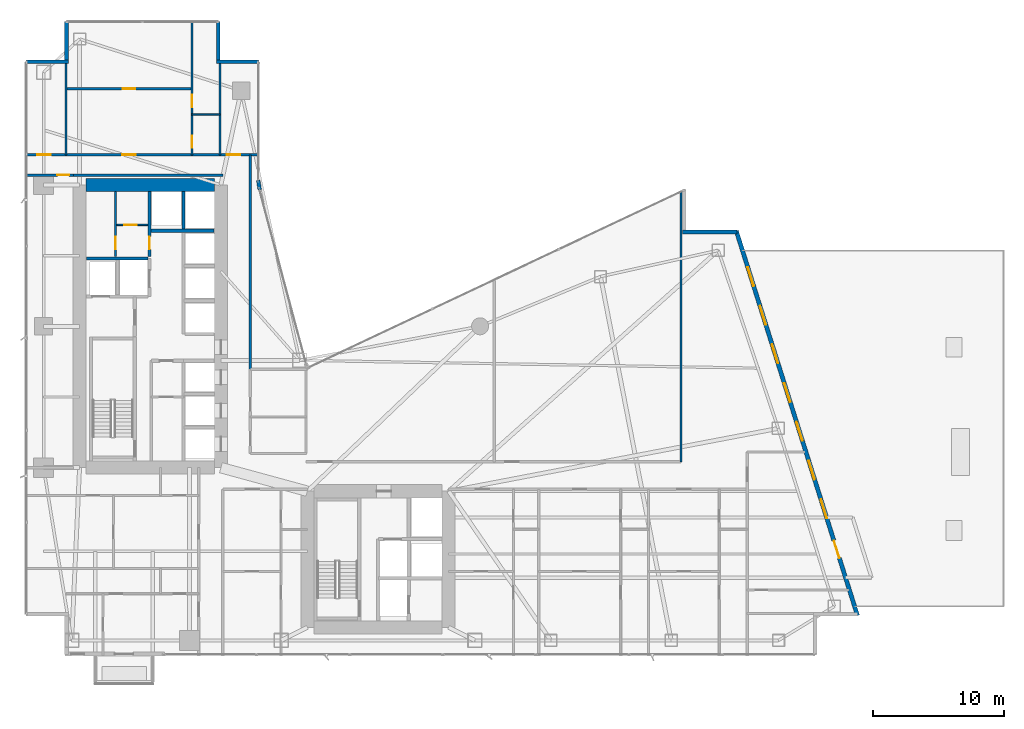
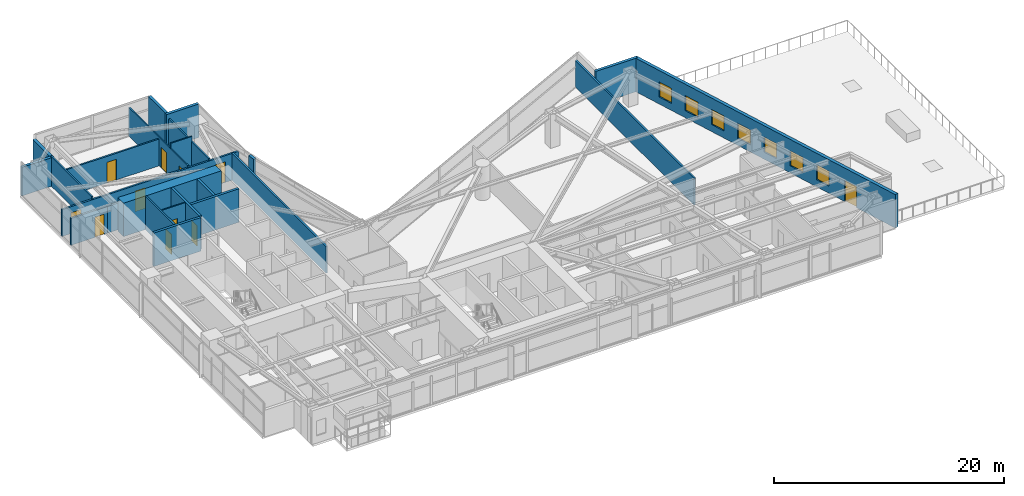
# One storey, part 25 of 30: 24 walls, 11 doors, 7 windows, 18 openings.
"""IFC4 building model written with IfcOpenShell, lengths in metres."""

from ifc_helpers import new_model, si_unit, direction, frame, frame_2d, origin, place, context, subcontext, project, spatial, rectangle, extrude, material, layer, layer_set, type_object, element, fill, save


model = new_model("IFC4")

# Units and contexts
model_context = context("Model", 3, precision=1e-05, world=origin(), true_north=direction((0.0, 1.0)))
body_context = subcontext(model_context, "Body", "Model", "MODEL_VIEW")
ifc_project = project(units=[si_unit("LENGTHUNIT", "METRE"), si_unit("AREAUNIT", "SQUARE_METRE"), si_unit("VOLUMEUNIT", "CUBIC_METRE"), si_unit("PLANEANGLEUNIT", "RADIAN"), si_unit("MASSUNIT", "GRAM", prefix="KILO")], contexts=[model_context])

# Site, building, storey
site_placement = place(None, origin())
site = spatial("IfcSite", under=ifc_project, at=site_placement, CompositionType="ELEMENT")
building_placement = place(site_placement, origin())
building = spatial("IfcBuilding", under=site, at=building_placement, Name="Calvorn Quay Hotel", CompositionType="ELEMENT")
storey_placement = place(building_placement, frame((0.0, 0.0, 27.0)))
storey = spatial("IfcBuildingStorey", under=building, at=storey_placement, Name="L05", CompositionType="ELEMENT", Elevation=27.0)

# Wall
ifc_material_1 = material(Name="Concrete C60", Category="concrete")
ifc_layer_1 = layer(ifc_material_1, 1.0)
ifc_layer_set_1 = layer_set([ifc_layer_1], Name="WL-CORE-1000")
wall_type_1 = type_object("IfcWallType", Name="WL-CORE-1000", PredefinedType="SHEAR", material=ifc_layer_set_1)
wall_1_placement = place(storey_placement, frame((4.699951171875, 38.39990234375, 0.0), z_axis=(0.0, 0.0, 1.0), x_axis=(1.0, 0.0, 0.0)))
element("IfcWall", 1, at=wall_1_placement, inside=storey, type_object=wall_type_1, Name="West Core Shear Wall N (L05)", PredefinedType="SHEAR", context=body_context, shape_type="SweptSolid", body=[
    extrude(rectangle(XDim=9.800048828125, YDim=1.0, at=frame_2d((4.89990234375, 0.0))), origin(), (0.0, 0.0, 1.0), 3.56005859375),
])

# Wall, opening, door
ifc_material_2 = material(Name="Acoustic Fireboard Steel-Stud Partition", Category="steel")
ifc_layer_2 = layer(ifc_material_2, 0.179931640625)
ifc_layer_set_2 = layer_set([ifc_layer_2], Name="WL-CORR-FIRE-180")
wall_type_2 = type_object("IfcWallType", Name="WL-CORR-FIRE-180", PredefinedType="PARTITIONING", material=ifc_layer_set_2)
wall_2_placement = place(storey_placement, frame((0.080078125, 39.14990234375, 0.0), z_axis=(0.0, 0.0, 1.0), x_axis=(1.0, 0.0, 0.0)))
wall_2 = element("IfcWall", 2, at=wall_2_placement, inside=storey, type_object=wall_type_2, Name="Partition Wall L05-WL-WBAY-N-DOOR", PredefinedType="PARTITIONING", context=body_context, shape_type="SweptSolid", body=[
    extrude(rectangle(XDim=3.64990234375, YDim=0.179931640625, at=frame_2d((1.824951171875, 0.0))), origin(), (0.0, 0.0, 1.0), 2.840087890625),
])
opening_1_placement = place(wall_2_placement, frame((2.429931640625, 0.0, 0.0)))
opening_1 = element("IfcOpeningElement", 3, at=opening_1_placement, cuts=wall_2, Name="Opening D-L05-WBN", PredefinedType="OPENING", context=body_context, shape_type="SweptSolid", body=[
    extrude(rectangle(XDim=0.89990234375, YDim=2.14990234375, at=frame_2d((0.449951171875, 1.074951171875))), frame((0.0, 0.099853515625, 0.0), z_axis=(0.0, -1.0, 0.0), x_axis=(1.0, 0.0, 0.0)), (0.0, 0.0, 1.0), 0.199951171875),
])
ifc_material_3 = material(Name="Moisture-Sealed Timber En-Suite Door", Category="wood")
door_type_1 = type_object("IfcDoorType", Name="DR-ENSUITE-900", OperationType="NOTDEFINED", PredefinedType="DOOR", material=ifc_material_3)
door_1_placement = place(opening_1_placement, origin())
door_1 = element("IfcDoor", 4, at=door_1_placement, inside=storey, type_object=door_type_1, Name="West North Bay Door (L05)", OperationType="SINGLE_SWING_LEFT", OverallHeight=2.14990234375, OverallWidth=0.89990234375, PredefinedType="DOOR", context=body_context, shape_type="SweptSolid", body=[
    extrude(rectangle(XDim=0.89990234375, YDim=2.14990234375, at=frame_2d((0.449951171875, 1.074951171875))), frame((0.0, 0.02490234375, 0.0), z_axis=(0.0, -1.0, 0.0), x_axis=(1.0, 0.0, 0.0)), (0.0, 0.0, 1.0), 0.050048828125),
])
fill(opening_1, door_1)

# Wall, openings, doors
wall_3_placement = place(storey_placement, frame((0.080078125, 40.699951171875, 0.0), z_axis=(0.0, 0.0, 1.0), x_axis=(1.0, 0.0, 0.0)))
wall_3 = element("IfcWall", 5, at=wall_3_placement, inside=storey, type_object=wall_type_2, Name="Partition Wall L05-WL-CORR-NW-N", PredefinedType="PARTITIONING", context=body_context, shape_type="SweptSolid", body=[
    extrude(rectangle(XDim=17.77001953125, YDim=0.179931640625, at=frame_2d((8.885009765625, 0.0))), origin(), (0.0, 0.0, 1.0), 2.840087890625),
])
opening_2_placement = place(wall_3_placement, frame((0.89990234375, 0.0, 0.0)))
opening_2 = element("IfcOpeningElement", 6, at=opening_2_placement, cuts=wall_3, Name="Opening D-L05-NWW", PredefinedType="OPENING", context=body_context, shape_type="SweptSolid", body=[
    extrude(rectangle(XDim=1.02001953125, YDim=2.199951171875, at=frame_2d((0.510009765625, 1.10009765625))), frame((0.0, 0.099853515625, 0.0), z_axis=(0.0, -1.0, 0.0), x_axis=(1.0, 0.0, 0.0)), (0.0, 0.0, 1.0), 0.199951171875),
])
opening_3_placement = place(wall_3_placement, frame((7.3798828125, 0.0, 0.0)))
opening_3 = element("IfcOpeningElement", 7, at=opening_3_placement, cuts=wall_3, Name="Opening D-L05-U04", PredefinedType="OPENING", context=body_context, shape_type="SweptSolid", body=[
    extrude(rectangle(XDim=1.02001953125, YDim=2.199951171875, at=frame_2d((0.510009765625, 1.10009765625))), frame((0.0, 0.099853515625, 0.0), z_axis=(0.0, -1.0, 0.0), x_axis=(1.0, 0.0, 0.0)), (0.0, 0.0, 1.0), 0.199951171875),
])
opening_4_placement = place(wall_3_placement, frame((15.3701171875, 0.0, 0.0)))
opening_4 = element("IfcOpeningElement", 8, at=opening_4_placement, cuts=wall_3, Name="Opening D-L05-NWE", PredefinedType="OPENING", context=body_context, shape_type="SweptSolid", body=[
    extrude(rectangle(XDim=1.02001953125, YDim=2.199951171875, at=frame_2d((0.510009765625, 1.10009765625))), frame((0.0, 0.099853515625, 0.0), z_axis=(0.0, -1.0, 0.0), x_axis=(1.0, 0.0, 0.0)), (0.0, 0.0, 1.0), 0.199951171875),
])
ifc_material_4 = material(Name="Solid-Core Walnut Veneer Hotel Fire Door")
door_type_2 = type_object("IfcDoorType", Name="DR-GUEST-ENTRY-1020", OperationType="NOTDEFINED", PredefinedType="DOOR", material=ifc_material_4)
door_2_placement = place(opening_2_placement, origin())
door_2 = element("IfcDoor", 9, at=door_2_placement, inside=storey, type_object=door_type_2, Name="West Corner Study Door (L05)", OperationType="SINGLE_SWING_LEFT", OverallHeight=2.199951171875, OverallWidth=1.02001953125, PredefinedType="DOOR", context=body_context, shape_type="SweptSolid", body=[
    extrude(rectangle(XDim=1.02001953125, YDim=2.199951171875, at=frame_2d((0.510009765625, 1.10009765625))), frame((0.0, 0.02490234375, 0.0), z_axis=(0.0, -1.0, 0.0), x_axis=(1.0, 0.0, 0.0)), (0.0, 0.0, 1.0), 0.050048828125),
])
fill(opening_2, door_2)
door_3_placement = place(opening_3_placement, origin())
door_3 = element("IfcDoor", 10, at=door_3_placement, inside=storey, type_object=door_type_2, Name="North-West Unit Door U04 (L05)", OperationType="SINGLE_SWING_RIGHT", OverallHeight=2.199951171875, OverallWidth=1.02001953125, PredefinedType="DOOR", context=body_context, shape_type="SweptSolid", body=[
    extrude(rectangle(XDim=1.02001953125, YDim=2.199951171875, at=frame_2d((0.510009765625, 1.10009765625))), frame((0.0, 0.02490234375, 0.0), z_axis=(0.0, -1.0, 0.0), x_axis=(1.0, 0.0, 0.0)), (0.0, 0.0, 1.0), 0.050048828125),
])
fill(opening_3, door_3)
door_4_placement = place(opening_4_placement, origin())
door_4 = element("IfcDoor", 11, at=door_4_placement, inside=storey, type_object=door_type_2, Name="Inner Court Study Door (L05)", OperationType="SINGLE_SWING_RIGHT", OverallHeight=2.199951171875, OverallWidth=1.02001953125, PredefinedType="DOOR", context=body_context, shape_type="SweptSolid", body=[
    extrude(rectangle(XDim=1.02001953125, YDim=2.199951171875, at=frame_2d((0.510009765625, 1.10009765625))), frame((0.0, 0.02490234375, 0.0), z_axis=(0.0, -1.0, 0.0), x_axis=(1.0, 0.0, 0.0)), (0.0, 0.0, 1.0), 0.050048828125),
])
fill(opening_4, door_4)

# Walls
wall_4_placement = place(storey_placement, frame((17.25, 24.300048828125, 0.0), z_axis=(0.0, 0.0, 1.0), x_axis=(0.0, 1.0, 0.0)))
element("IfcWall", 12, at=wall_4_placement, inside=storey, type_object=wall_type_2, Name="Partition Wall L05-WL-NW-CLOSURE-E", PredefinedType="PARTITIONING", context=body_context, shape_type="SweptSolid", body=[
    extrude(rectangle(XDim=16.39990234375, YDim=0.179931640625, at=frame_2d((8.199951171875, 0.0))), origin(), (0.0, 0.0, 1.0), 2.840087890625),
])
wall_5_placement = place(storey_placement, frame((3.679931640625, 39.14990234375, 0.0), z_axis=(0.0, 0.0, 1.0), x_axis=(1.0, 0.0, 0.0)))
element("IfcWall", 13, at=wall_5_placement, inside=storey, type_object=wall_type_2, Name="Partition Wall L05-WL-W-SPUR-S", PredefinedType="PARTITIONING", context=body_context, shape_type="SweptSolid", body=[
    extrude(rectangle(XDim=11.469970703125, YDim=0.179931640625, at=frame_2d((5.73486328125, 0.0))), origin(), (0.0, 0.0, 1.0), 2.840087890625),
])
wall_6_placement = place(storey_placement, frame((50.14990234375, 17.25, 0.0), z_axis=(0.0, 0.0, 1.0), x_axis=(0.0, 1.0, 0.0)))
element("IfcWall", 14, at=wall_6_placement, inside=storey, type_object=wall_type_2, Name="Partition Wall L05-WL-NE-END-E", PredefinedType="PARTITIONING", context=body_context, shape_type="SweptSolid", body=[
    extrude(rectangle(XDim=20.7099609375, YDim=0.179931640625, at=frame_2d((10.35498046875, 0.0))), origin(), (0.0, 0.0, 1.0), 2.840087890625),
])

# Wall, opening, door
ifc_material_5 = material(Name="Moisture-Resistant Tile-Backed Partition")
ifc_layer_3 = layer(ifc_material_5, 0.125)
ifc_layer_set_3 = layer_set([ifc_layer_3], Name="WL-ENSUITE-125")
wall_type_3 = type_object("IfcWallType", Name="WL-ENSUITE-125", PredefinedType="PARTITIONING", material=ifc_layer_set_3)
wall_7_placement = place(storey_placement, frame((7.050048828125, 35.35009765625, 0.0), z_axis=(0.0, 0.0, 1.0), x_axis=(1.0, 0.0, 0.0)))
wall_7 = element("IfcWall", 15, at=wall_7_placement, inside=storey, type_object=wall_type_3, Name="Partition Wall L05-WL-CWW-K-H", PredefinedType="PARTITIONING", context=body_context, shape_type="SweptSolid", body=[
    extrude(rectangle(XDim=2.369873046875, YDim=0.125, at=frame_2d((1.18505859375, 0.0))), origin(), (0.0, 0.0, 1.0), 3.56005859375),
])
opening_5_placement = place(wall_7_placement, frame((0.550048828125, 0.0, 0.0)))
opening_5 = element("IfcOpeningElement", 16, at=opening_5_placement, cuts=wall_7, Name="Opening D-L05-CK3", PredefinedType="OPENING", context=body_context, shape_type="SweptSolid", body=[
    extrude(rectangle(XDim=0.97998046875, YDim=2.14990234375, at=frame_2d((0.489990234375, 1.074951171875))), frame((0.0, 0.072509765625, 0.0), z_axis=(0.0, -1.0, 0.0), x_axis=(1.0, 0.0, 0.0)), (0.0, 0.0, 1.0), 0.14501953125),
])
ifc_material_6 = material(Name="Painted Steel Housekeeping/Riser Fire Door", Category="steel")
door_type_3 = type_object("IfcDoorType", Name="DR-SERVICE-980", OperationType="NOTDEFINED", PredefinedType="DOOR", material=ifc_material_6)
door_5_placement = place(opening_5_placement, origin())
door_5 = element("IfcDoor", 17, at=door_5_placement, inside=storey, type_object=door_type_3, Name="Telecom Closet Door (L05)", OperationType="SINGLE_SWING_RIGHT", OverallHeight=2.14990234375, OverallWidth=0.97998046875, PredefinedType="DOOR", context=body_context, shape_type="SweptSolid", body=[
    extrude(rectangle(XDim=0.97998046875, YDim=2.14990234375, at=frame_2d((0.489990234375, 1.074951171875))), frame((0.0, 0.02490234375, 0.0), z_axis=(0.0, -1.0, 0.0), x_axis=(1.0, 0.0, 0.0)), (0.0, 0.0, 1.0), 0.050048828125),
])
fill(opening_5, door_5)

# Wall
wall_8_placement = place(storey_placement, frame((12.7900390625, 43.77001953125, 0.0), z_axis=(0.0, 0.0, 1.0), x_axis=(1.0, 0.0, 0.0)))
element("IfcWall", 18, at=wall_8_placement, inside=storey, type_object=wall_type_3, Name="Partition Wall L05-WL-U04-BDV", PredefinedType="PARTITIONING", context=body_context, shape_type="SweptSolid", body=[
    extrude(rectangle(XDim=2.1298828125, YDim=0.125, at=frame_2d((1.06494140625, 0.0))), origin(), (0.0, 0.0, 1.0), 3.56005859375),
])

# Wall, openings, doors
wall_9_placement = place(storey_placement, frame((12.7900390625, 40.699951171875, 0.0), z_axis=(0.0, 0.0, 1.0), x_axis=(0.0, 1.0, 0.0)))
wall_9 = element("IfcWall", 19, at=wall_9_placement, inside=storey, type_object=wall_type_3, Name="Partition Wall L05-WL-U04-BV", PredefinedType="PARTITIONING", context=body_context, shape_type="SweptSolid", body=[
    extrude(rectangle(XDim=10.239990234375, YDim=0.125, at=frame_2d((5.1201171875, 0.0))), origin(), (0.0, 0.0, 1.0), 3.0400390625),
])
opening_6_placement = place(wall_9_placement, frame((0.550048828125, 0.0, 0.0)))
opening_6 = element("IfcOpeningElement", 20, at=opening_6_placement, cuts=wall_9, Name="Opening D-L05-E04", PredefinedType="OPENING", context=body_context, shape_type="SweptSolid", body=[
    extrude(rectangle(XDim=0.89990234375, YDim=2.14990234375, at=frame_2d((0.449951171875, 1.074951171875))), frame((0.0, 0.072509765625, 0.0), z_axis=(0.0, -1.0, 0.0), x_axis=(1.0, 0.0, 0.0)), (0.0, 0.0, 1.0), 0.14501953125),
])
opening_7_placement = place(wall_9_placement, frame((3.6201171875, 0.0, 0.0)))
opening_7 = element("IfcOpeningElement", 21, at=opening_7_placement, cuts=wall_9, Name="Opening D-L05-S04", PredefinedType="OPENING", context=body_context, shape_type="SweptSolid", body=[
    extrude(rectangle(XDim=0.9599609375, YDim=2.199951171875, at=frame_2d((0.47998046875, 1.10009765625))), frame((0.0, 0.072509765625, 0.0), z_axis=(0.0, -1.0, 0.0), x_axis=(1.0, 0.0, 0.0)), (0.0, 0.0, 1.0), 0.14501953125),
])
door_6_placement = place(opening_6_placement, origin())
door_6 = element("IfcDoor", 22, at=door_6_placement, inside=storey, type_object=door_type_1, Name="En-Suite Door 04", OperationType="SINGLE_SWING_LEFT", OverallHeight=2.14990234375, OverallWidth=0.89990234375, PredefinedType="DOOR", context=body_context, shape_type="SweptSolid", body=[
    extrude(rectangle(XDim=0.89990234375, YDim=2.14990234375, at=frame_2d((0.449951171875, 1.074951171875))), frame((0.0, 0.02490234375, 0.0), z_axis=(0.0, -1.0, 0.0), x_axis=(1.0, 0.0, 0.0)), (0.0, 0.0, 1.0), 0.050048828125),
])
fill(opening_6, door_6)
ifc_material_7 = material(Name="Solid Timber Internal Suite Door", Category="wood")
door_type_4 = type_object("IfcDoorType", Name="DR-SUITE-INT-960", OperationType="NOTDEFINED", PredefinedType="DOOR", material=ifc_material_7)
door_7_placement = place(opening_7_placement, origin())
door_7 = element("IfcDoor", 23, at=door_7_placement, inside=storey, type_object=door_type_4, Name="Executive Study Door 04", OperationType="SINGLE_SWING_RIGHT", OverallHeight=2.199951171875, OverallWidth=0.9599609375, PredefinedType="DOOR", context=body_context, shape_type="SweptSolid", body=[
    extrude(rectangle(XDim=0.9599609375, YDim=2.199951171875, at=frame_2d((0.47998046875, 1.10009765625))), frame((0.0, 0.02490234375, 0.0), z_axis=(0.0, -1.0, 0.0), x_axis=(1.0, 0.0, 0.0)), (0.0, 0.0, 1.0), 0.050048828125),
])
fill(opening_7, door_7)

# Walls
ifc_material_8 = material(Name="Concrete C40", Category="concrete")
ifc_layer_4 = layer(ifc_material_8, 0.320068359375)
ifc_layer_set_4 = layer_set([ifc_layer_4], Name="WL-EXT-SPANDREL-320")
wall_type_4 = type_object("IfcWallType", Name="WL-EXT-SPANDREL-320", PredefinedType="SOLIDWALL", material=ifc_layer_set_4)
wall_10_placement = place(storey_placement, frame((17.9619140625, 38.030029296875, 0.0), z_axis=(0.0, 0.0, 1.0), x_axis=(-0.15141125477, 0.988470855377, 0.0)))
element("IfcWall", 24, at=wall_10_placement, inside=storey, type_object=wall_type_4, Name="Inner Court Corner Pier L05-ICJ2", PredefinedType="SOLIDWALL", context=body_context, shape_type="SweptSolid", body=[
    extrude(rectangle(XDim=0.738525390625, YDim=0.280029296875, at=frame_2d((0.369140625, 0.0))), origin(), (0.0, 0.0, 1.0), 3.56005859375),
])
wall_11_placement = place(storey_placement, frame((54.43994140625, 34.800048828125, 0.0), z_axis=(0.0, 0.0, 1.0), x_axis=(-1.0, 0.0, 0.0)))
element("IfcWall", 25, at=wall_11_placement, inside=storey, type_object=wall_type_4, Name="Notched Corner Spandrel L05-NE1", PredefinedType="SOLIDWALL", context=body_context, shape_type="SweptSolid", body=[
    extrude(rectangle(XDim=4.179931640625, YDim=0.280029296875, at=frame_2d((2.08984375, 0.0))), origin(), (0.0, 0.0, 1.0), 3.56005859375),
])
wall_12_placement = place(storey_placement, frame((17.89990234375, 47.800048828125, 0.0), z_axis=(0.0, 0.0, 1.0), x_axis=(-1.0, 0.0, 0.0)))
element("IfcWall", 26, at=wall_12_placement, inside=storey, type_object=wall_type_4, Name="Notched Corner Spandrel L05-NWE1", PredefinedType="SOLIDWALL", context=body_context, shape_type="SweptSolid", body=[
    extrude(rectangle(XDim=3.239990234375, YDim=0.280029296875, at=frame_2d((1.6201171875, 0.0))), origin(), (0.0, 0.0, 1.0), 3.56005859375),
])
wall_13_placement = place(storey_placement, frame((14.800048828125, 47.93994140625, 0.0), z_axis=(0.0, 0.0, 1.0), x_axis=(0.0, 1.0, 0.0)))
element("IfcWall", 27, at=wall_13_placement, inside=storey, type_object=wall_type_4, Name="Notched Corner Spandrel L05-NWE2", PredefinedType="SOLIDWALL", context=body_context, shape_type="SweptSolid", body=[
    extrude(rectangle(XDim=2.93994140625, YDim=0.280029296875, at=frame_2d((1.469970703125, 0.0))), origin(), (0.0, 0.0, 1.0), 3.56005859375),
])
wall_14_placement = place(storey_placement, frame((3.199951171875, 50.8798828125, 0.0), z_axis=(0.0, 0.0, 1.0), x_axis=(0.0, -1.0, 0.0)))
element("IfcWall", 28, at=wall_14_placement, inside=storey, type_object=wall_type_4, Name="Notched Corner Spandrel L05-NW1", PredefinedType="SOLIDWALL", context=body_context, shape_type="SweptSolid", body=[
    extrude(rectangle(XDim=2.93994140625, YDim=0.280029296875, at=frame_2d((1.469970703125, 0.0))), origin(), (0.0, 0.0, 1.0), 3.0400390625),
])
wall_15_placement = place(storey_placement, frame((3.340087890625, 47.800048828125, 0.0), z_axis=(0.0, 0.0, 1.0), x_axis=(-1.0, 0.0, 0.0)))
element("IfcWall", 29, at=wall_15_placement, inside=storey, type_object=wall_type_4, Name="Notched Corner Spandrel L05-NW2", PredefinedType="SOLIDWALL", context=body_context, shape_type="SweptSolid", body=[
    extrude(rectangle(XDim=3.219970703125, YDim=0.280029296875, at=frame_2d((1.60986328125, 0.0))), origin(), (0.0, 0.0, 1.0), 3.0400390625),
])

# Wall, openings, door, windows
wall_16_placement = place(storey_placement, frame((63.6298828125, 5.5048828125, 0.0), z_axis=(0.0, 0.0, 1.0), x_axis=(-0.300501856448, 0.953781229775, 0.0)))
wall_16 = element("IfcWall", 30, at=wall_16_placement, inside=storey, type_object=wall_type_4, Name="East Stepped Waterfront Exterior Wall (L05)", PredefinedType="SOLIDWALL", context=body_context, shape_type="SweptSolid", body=[
    extrude(rectangle(XDim=30.814453125, YDim=0.320068359375, at=frame_2d((15.4072265625, 0.0))), origin(), (0.0, 0.0, 1.0), 3.56005859375),
])
opening_8_placement = place(wall_16_placement, frame((4.60009765625, 0.0, 0.0)))
opening_8 = element("IfcOpeningElement", 31, at=opening_8_placement, cuts=wall_16, Name="Opening DTR-L05-GDN", PredefinedType="OPENING", context=body_context, shape_type="SweptSolid", body=[
    extrude(rectangle(XDim=1.39990234375, YDim=2.25, at=frame_2d((0.699951171875, 1.125))), frame((0.0, 0.169921875, 0.0), z_axis=(0.0, -1.0, 0.0), x_axis=(1.0, 0.0, 0.0)), (0.0, 0.0, 1.0), 0.340087890625),
])
opening_9_placement = place(wall_16_placement, frame((7.800048828125, 0.0, 0.75)))
opening_9 = element("IfcOpeningElement", 32, at=opening_9_placement, cuts=wall_16, Name="Opening WG-L05-E1", PredefinedType="OPENING", context=body_context, shape_type="SweptSolid", body=[
    extrude(rectangle(XDim=1.5, YDim=1.60009765625, at=frame_2d((0.75, 0.800048828125))), frame((0.0, 0.169921875, 0.0), z_axis=(0.0, -1.0, 0.0), x_axis=(1.0, 0.0, 0.0)), (0.0, 0.0, 1.0), 0.340087890625),
])
opening_10_placement = place(wall_16_placement, frame((10.89990234375, 0.0, 0.75)))
opening_10 = element("IfcOpeningElement", 33, at=opening_10_placement, cuts=wall_16, Name="Opening WG-L05-E2", PredefinedType="OPENING", context=body_context, shape_type="SweptSolid", body=[
    extrude(rectangle(XDim=1.5, YDim=1.60009765625, at=frame_2d((0.75, 0.800048828125))), frame((0.0, 0.169921875, 0.0), z_axis=(0.0, -1.0, 0.0), x_axis=(1.0, 0.0, 0.0)), (0.0, 0.0, 1.0), 0.340087890625),
])
opening_11_placement = place(wall_16_placement, frame((14.0, 0.0, 0.75)))
opening_11 = element("IfcOpeningElement", 34, at=opening_11_placement, cuts=wall_16, Name="Opening WG-L05-E3", PredefinedType="OPENING", context=body_context, shape_type="SweptSolid", body=[
    extrude(rectangle(XDim=1.5, YDim=1.60009765625, at=frame_2d((0.75, 0.800048828125))), frame((0.0, 0.169921875, 0.0), z_axis=(0.0, -1.0, 0.0), x_axis=(1.0, 0.0, 0.0)), (0.0, 0.0, 1.0), 0.340087890625),
])
opening_12_placement = place(wall_16_placement, frame((17.10009765625, 0.0, 0.75)))
opening_12 = element("IfcOpeningElement", 35, at=opening_12_placement, cuts=wall_16, Name="Opening WG-L05-E4", PredefinedType="OPENING", context=body_context, shape_type="SweptSolid", body=[
    extrude(rectangle(XDim=1.5, YDim=1.60009765625, at=frame_2d((0.75, 0.800048828125))), frame((0.0, 0.169921875, 0.0), z_axis=(0.0, -1.0, 0.0), x_axis=(1.0, 0.0, 0.0)), (0.0, 0.0, 1.0), 0.340087890625),
])
opening_13_placement = place(wall_16_placement, frame((20.199951171875, 0.0, 0.75)))
opening_13 = element("IfcOpeningElement", 36, at=opening_13_placement, cuts=wall_16, Name="Opening WG-L05-E5", PredefinedType="OPENING", context=body_context, shape_type="SweptSolid", body=[
    extrude(rectangle(XDim=1.5, YDim=1.60009765625, at=frame_2d((0.75, 0.800048828125))), frame((0.0, 0.169921875, 0.0), z_axis=(0.0, -1.0, 0.0), x_axis=(1.0, 0.0, 0.0)), (0.0, 0.0, 1.0), 0.340087890625),
])
opening_14_placement = place(wall_16_placement, frame((23.300048828125, 0.0, 0.75)))
opening_14 = element("IfcOpeningElement", 37, at=opening_14_placement, cuts=wall_16, Name="Opening WG-L05-E6", PredefinedType="OPENING", context=body_context, shape_type="SweptSolid", body=[
    extrude(rectangle(XDim=1.5, YDim=1.60009765625, at=frame_2d((0.75, 0.800048828125))), frame((0.0, 0.169921875, 0.0), z_axis=(0.0, -1.0, 0.0), x_axis=(1.0, 0.0, 0.0)), (0.0, 0.0, 1.0), 0.340087890625),
])
opening_15_placement = place(wall_16_placement, frame((26.39990234375, 0.0, 0.75)))
opening_15 = element("IfcOpeningElement", 38, at=opening_15_placement, cuts=wall_16, Name="Opening WG-L05-E7", PredefinedType="OPENING", context=body_context, shape_type="SweptSolid", body=[
    extrude(rectangle(XDim=1.5, YDim=1.60009765625, at=frame_2d((0.75, 0.800048828125))), frame((0.0, 0.169921875, 0.0), z_axis=(0.0, -1.0, 0.0), x_axis=(1.0, 0.0, 0.0)), (0.0, 0.0, 1.0), 0.340087890625),
])
ifc_material_9 = material(Name="Typhoon-Rated Low-E Aluminium Terrace Door", Category="aluminium")
door_type_5 = type_object("IfcDoorType", Name="DR-BALCONY-GLZ-1400", OperationType="NOTDEFINED", PredefinedType="DOOR", material=ifc_material_9)
door_8_placement = place(opening_8_placement, origin())
door_8 = element("IfcDoor", 39, at=door_8_placement, inside=storey, type_object=door_type_5, Name="Podium Roof Garden Terrace Door (L05)", OperationType="SINGLE_SWING_RIGHT", OverallHeight=2.25, OverallWidth=1.39990234375, PredefinedType="DOOR", context=body_context, shape_type="SweptSolid", body=[
    extrude(rectangle(XDim=1.39990234375, YDim=2.25, at=frame_2d((0.699951171875, 1.125))), frame((0.0, 0.02490234375, 0.0), z_axis=(0.0, -1.0, 0.0), x_axis=(1.0, 0.0, 0.0)), (0.0, 0.0, 1.0), 0.050048828125),
])
fill(opening_8, door_8)
ifc_material_10 = material(Name="Self-Closing Class B Fire Window")
window_type = type_object("IfcWindowType", Name="WIN-REFUGE-1500x1600", PartitioningType="SINGLE_PANEL", PredefinedType="WINDOW", material=ifc_material_10)
window_1_placement = place(opening_9_placement, origin())
window_1 = element("IfcWindow", 40, at=window_1_placement, inside=storey, type_object=window_type, Name="East Facade Window L05-E1", OverallHeight=1.60009765625, OverallWidth=1.5, PartitioningType="SINGLE_PANEL", PredefinedType="WINDOW", context=body_context, shape_type="SweptSolid", body=[
    extrude(rectangle(XDim=1.5, YDim=1.60009765625, at=frame_2d((0.75, 0.800048828125))), frame((0.0, 0.030029296875, 0.0), z_axis=(0.0, -1.0, 0.0), x_axis=(1.0, 0.0, 0.0)), (0.0, 0.0, 1.0), 0.06005859375),
])
fill(opening_9, window_1)
window_2_placement = place(opening_10_placement, origin())
window_2 = element("IfcWindow", 41, at=window_2_placement, inside=storey, type_object=window_type, Name="East Facade Window L05-E2", OverallHeight=1.60009765625, OverallWidth=1.5, PartitioningType="SINGLE_PANEL", PredefinedType="WINDOW", context=body_context, shape_type="SweptSolid", body=[
    extrude(rectangle(XDim=1.5, YDim=1.60009765625, at=frame_2d((0.75, 0.800048828125))), frame((0.0, 0.030029296875, 0.0), z_axis=(0.0, -1.0, 0.0), x_axis=(1.0, 0.0, 0.0)), (0.0, 0.0, 1.0), 0.06005859375),
])
fill(opening_10, window_2)
window_3_placement = place(opening_11_placement, origin())
window_3 = element("IfcWindow", 42, at=window_3_placement, inside=storey, type_object=window_type, Name="East Facade Window L05-E3", OverallHeight=1.60009765625, OverallWidth=1.5, PartitioningType="SINGLE_PANEL", PredefinedType="WINDOW", context=body_context, shape_type="SweptSolid", body=[
    extrude(rectangle(XDim=1.5, YDim=1.60009765625, at=frame_2d((0.75, 0.800048828125))), frame((0.0, 0.030029296875, 0.0), z_axis=(0.0, -1.0, 0.0), x_axis=(1.0, 0.0, 0.0)), (0.0, 0.0, 1.0), 0.06005859375),
])
fill(opening_11, window_3)
window_4_placement = place(opening_12_placement, origin())
window_4 = element("IfcWindow", 43, at=window_4_placement, inside=storey, type_object=window_type, Name="East Facade Window L05-E4", OverallHeight=1.60009765625, OverallWidth=1.5, PartitioningType="SINGLE_PANEL", PredefinedType="WINDOW", context=body_context, shape_type="SweptSolid", body=[
    extrude(rectangle(XDim=1.5, YDim=1.60009765625, at=frame_2d((0.75, 0.800048828125))), frame((0.0, 0.030029296875, 0.0), z_axis=(0.0, -1.0, 0.0), x_axis=(1.0, 0.0, 0.0)), (0.0, 0.0, 1.0), 0.06005859375),
])
fill(opening_12, window_4)
window_5_placement = place(opening_13_placement, origin())
window_5 = element("IfcWindow", 44, at=window_5_placement, inside=storey, type_object=window_type, Name="East Facade Window L05-E5", OverallHeight=1.60009765625, OverallWidth=1.5, PartitioningType="SINGLE_PANEL", PredefinedType="WINDOW", context=body_context, shape_type="SweptSolid", body=[
    extrude(rectangle(XDim=1.5, YDim=1.60009765625, at=frame_2d((0.75, 0.800048828125))), frame((0.0, 0.030029296875, 0.0), z_axis=(0.0, -1.0, 0.0), x_axis=(1.0, 0.0, 0.0)), (0.0, 0.0, 1.0), 0.06005859375),
])
fill(opening_13, window_5)
window_6_placement = place(opening_14_placement, origin())
window_6 = element("IfcWindow", 45, at=window_6_placement, inside=storey, type_object=window_type, Name="East Facade Window L05-E6", OverallHeight=1.60009765625, OverallWidth=1.5, PartitioningType="SINGLE_PANEL", PredefinedType="WINDOW", context=body_context, shape_type="SweptSolid", body=[
    extrude(rectangle(XDim=1.5, YDim=1.60009765625, at=frame_2d((0.75, 0.800048828125))), frame((0.0, 0.030029296875, 0.0), z_axis=(0.0, -1.0, 0.0), x_axis=(1.0, 0.0, 0.0)), (0.0, 0.0, 1.0), 0.06005859375),
])
fill(opening_14, window_6)
window_7_placement = place(opening_15_placement, origin())
window_7 = element("IfcWindow", 46, at=window_7_placement, inside=storey, type_object=window_type, Name="East Facade Window L05-E7", OverallHeight=1.60009765625, OverallWidth=1.5, PartitioningType="SINGLE_PANEL", PredefinedType="WINDOW", context=body_context, shape_type="SweptSolid", body=[
    extrude(rectangle(XDim=1.5, YDim=1.60009765625, at=frame_2d((0.75, 0.800048828125))), frame((0.0, 0.030029296875, 0.0), z_axis=(0.0, -1.0, 0.0), x_axis=(1.0, 0.0, 0.0)), (0.0, 0.0, 1.0), 0.06005859375),
])
fill(opening_15, window_7)

# Wall, opening, door
ifc_material_11 = material(Name="Double-Stud Acoustic Gypsum Partition")
ifc_layer_5 = layer(ifc_material_11, 0.159912109375)
ifc_layer_set_5 = layer_set([ifc_layer_5], Name="WL-INTERSUITE-160")
wall_type_5 = type_object("IfcWallType", Name="WL-INTERSUITE-160", PredefinedType="PARTITIONING", material=ifc_layer_set_5)
wall_17_placement = place(storey_placement, frame((6.949951171875, 32.919921875, 0.0), z_axis=(0.0, 0.0, 1.0), x_axis=(0.0, 1.0, 0.0)))
wall_17 = element("IfcWall", 47, at=wall_17_placement, inside=storey, type_object=wall_type_5, Name="Partition Wall L05-WL-CWW-K-V", PredefinedType="PARTITIONING", context=body_context, shape_type="SweptSolid", body=[
    extrude(rectangle(XDim=4.9599609375, YDim=0.159912109375, at=frame_2d((2.47998046875, 0.0))), origin(), (0.0, 0.0, 1.0), 3.56005859375),
])
opening_16_placement = place(wall_17_placement, frame((0.550048828125, 0.0, 0.0)))
opening_16 = element("IfcOpeningElement", 48, at=opening_16_placement, cuts=wall_17, Name="Opening D-L05-CK1", PredefinedType="OPENING", context=body_context, shape_type="SweptSolid", body=[
    extrude(rectangle(XDim=0.97998046875, YDim=2.14990234375, at=frame_2d((0.489990234375, 1.074951171875))), frame((0.0, 0.08984375, 0.0), z_axis=(0.0, -1.0, 0.0), x_axis=(1.0, 0.0, 0.0)), (0.0, 0.0, 1.0), 0.179931640625),
])
door_9_placement = place(opening_16_placement, origin())
door_9 = element("IfcDoor", 49, at=door_9_placement, inside=storey, type_object=door_type_3, Name="Pipe Riser Door (L05)", OperationType="SINGLE_SWING_LEFT", OverallHeight=2.14990234375, OverallWidth=0.97998046875, PredefinedType="DOOR", context=body_context, shape_type="SweptSolid", body=[
    extrude(rectangle(XDim=0.97998046875, YDim=2.14990234375, at=frame_2d((0.489990234375, 1.074951171875))), frame((0.0, 0.02490234375, 0.0), z_axis=(0.0, -1.0, 0.0), x_axis=(1.0, 0.0, 0.0)), (0.0, 0.0, 1.0), 0.050048828125),
])
fill(opening_16, door_9)

# Walls
wall_18_placement = place(storey_placement, frame((3.14990234375, 40.699951171875, 0.0), z_axis=(0.0, 0.0, 1.0), x_axis=(0.0, 1.0, 0.0)))
element("IfcWall", 50, at=wall_18_placement, inside=storey, type_object=wall_type_5, Name="Partition Wall L05-WL-NW-DIV-W0", PredefinedType="PARTITIONING", context=body_context, shape_type="SweptSolid", body=[
    extrude(rectangle(XDim=7.10009765625, YDim=0.159912109375, at=frame_2d((3.550048828125, 0.0))), origin(), (0.0, 0.0, 1.0), 3.139892578125),
])
wall_19_placement = place(storey_placement, frame((14.919921875, 40.699951171875, 0.0), z_axis=(0.0, 0.0, 1.0), x_axis=(0.0, 1.0, 0.0)))
element("IfcWall", 51, at=wall_19_placement, inside=storey, type_object=wall_type_5, Name="Partition Wall L05-WL-NW-DIV-E0", PredefinedType="PARTITIONING", context=body_context, shape_type="SweptSolid", body=[
    extrude(rectangle(XDim=7.10009765625, YDim=0.159912109375, at=frame_2d((3.550048828125, 0.0))), origin(), (0.0, 0.0, 1.0), 3.0400390625),
])

# Wall, opening, door
wall_20_placement = place(storey_placement, frame((3.14990234375, 45.75, 0.0), z_axis=(0.0, 0.0, 1.0), x_axis=(1.0, 0.0, 0.0)))
wall_20 = element("IfcWall", 52, at=wall_20_placement, inside=storey, type_object=wall_type_5, Name="Partition Wall L05-WL-U04-MSP", PredefinedType="PARTITIONING", context=body_context, shape_type="SweptSolid", body=[
    extrude(rectangle(XDim=9.64013671875, YDim=0.159912109375, at=frame_2d((4.820068359375, 0.0))), origin(), (0.0, 0.0, 1.0), 2.840087890625),
])
opening_17_placement = place(wall_20_placement, frame((4.340087890625, 0.0, 0.0)))
opening_17 = element("IfcOpeningElement", 53, at=opening_17_placement, cuts=wall_20, Name="Opening D-L05-M04", PredefinedType="OPENING", context=body_context, shape_type="SweptSolid", body=[
    extrude(rectangle(XDim=0.9599609375, YDim=2.199951171875, at=frame_2d((0.47998046875, 1.10009765625))), frame((0.0, 0.08984375, 0.0), z_axis=(0.0, -1.0, 0.0), x_axis=(1.0, 0.0, 0.0)), (0.0, 0.0, 1.0), 0.179931640625),
])
door_10_placement = place(opening_17_placement, origin())
door_10 = element("IfcDoor", 54, at=door_10_placement, inside=storey, type_object=door_type_4, Name="Suite Bedroom Door 04", OperationType="SINGLE_SWING_LEFT", OverallHeight=2.199951171875, OverallWidth=0.9599609375, PredefinedType="DOOR", context=body_context, shape_type="SweptSolid", body=[
    extrude(rectangle(XDim=0.9599609375, YDim=2.199951171875, at=frame_2d((0.47998046875, 1.10009765625))), frame((0.0, 0.02490234375, 0.0), z_axis=(0.0, -1.0, 0.0), x_axis=(1.0, 0.0, 0.0)), (0.0, 0.0, 1.0), 0.050048828125),
])
fill(opening_17, door_10)

ifc_material_12 = material(Name="Autoclaved Aerated Masonry Block", Category="masonry")
ifc_layer_6 = layer(ifc_material_12, 0.219970703125)
ifc_layer_set_6 = layer_set([ifc_layer_6], Name="WL-LOBBY-FIRE-220")
wall_type_6 = type_object("IfcWallType", Name="WL-LOBBY-FIRE-220", PredefinedType="SOLIDWALL", material=ifc_layer_set_6)
wall_21_placement = place(storey_placement, frame((9.5400390625, 32.919921875, 0.0), z_axis=(0.0, 0.0, 1.0), x_axis=(0.0, 1.0, 0.0)))
wall_21 = element("IfcWall", 55, at=wall_21_placement, inside=storey, type_object=wall_type_6, Name="Partition Wall L05-WL-CWW-K-E", PredefinedType="SOLIDWALL", context=body_context, shape_type="SweptSolid", body=[
    extrude(rectangle(XDim=4.9599609375, YDim=0.219970703125, at=frame_2d((2.47998046875, 0.0))), origin(), (0.0, 0.0, 1.0), 3.56005859375),
])
opening_18_placement = place(wall_21_placement, frame((0.550048828125, 0.0, 0.0)))
opening_18 = element("IfcOpeningElement", 56, at=opening_18_placement, cuts=wall_21, Name="Opening D-L05-CK2", PredefinedType="OPENING", context=body_context, shape_type="SweptSolid", body=[
    extrude(rectangle(XDim=0.97998046875, YDim=2.14990234375, at=frame_2d((0.489990234375, 1.074951171875))), frame((0.0, 0.119873046875, 0.0), z_axis=(0.0, -1.0, 0.0), x_axis=(1.0, 0.0, 0.0)), (0.0, 0.0, 1.0), 0.239990234375),
])
door_11_placement = place(opening_18_placement, origin())
door_11 = element("IfcDoor", 57, at=door_11_placement, inside=storey, type_object=door_type_3, Name="Valet Closet Door (L05)", OperationType="SINGLE_SWING_LEFT", OverallHeight=2.14990234375, OverallWidth=0.97998046875, PredefinedType="DOOR", context=body_context, shape_type="SweptSolid", body=[
    extrude(rectangle(XDim=0.97998046875, YDim=2.14990234375, at=frame_2d((0.489990234375, 1.074951171875))), frame((0.0, 0.02490234375, 0.0), z_axis=(0.0, -1.0, 0.0), x_axis=(1.0, 0.0, 0.0)), (0.0, 0.0, 1.0), 0.050048828125),
])
fill(opening_18, door_11)

# Walls
ifc_material_13 = material(Name="Concrete C40", Category="concrete")
ifc_layer_7 = layer(ifc_material_13, 0.239990234375)
ifc_layer_set_7 = layer_set([ifc_layer_7], Name="WL-SHAFT-240")
wall_type_7 = type_object("IfcWallType", Name="WL-SHAFT-240", PredefinedType="SOLIDWALL", material=ifc_layer_set_7)
wall_22_placement = place(storey_placement, frame((4.719970703125, 32.780029296875, 0.0), z_axis=(0.0, 0.0, 1.0), x_axis=(1.0, 0.0, 0.0)))
element("IfcWall", 58, at=wall_22_placement, inside=storey, type_object=wall_type_7, Name="Partition Wall L05-WL-CWW-SLW-N", PredefinedType="SOLIDWALL", context=body_context, shape_type="SweptSolid", body=[
    extrude(rectangle(XDim=4.699951171875, YDim=0.239990234375, at=frame_2d((2.35009765625, 0.0))), origin(), (0.0, 0.0, 1.0), 3.56005859375),
])
wall_23_placement = place(storey_placement, frame((9.659912109375, 34.89990234375, 0.0), z_axis=(0.0, 0.0, 1.0), x_axis=(1.0, 0.0, 0.0)))
element("IfcWall", 59, at=wall_23_placement, inside=storey, type_object=wall_type_7, Name="Partition Wall L05-WL-CWW-PLH-S", PredefinedType="SOLIDWALL", context=body_context, shape_type="SweptSolid", body=[
    extrude(rectangle(XDim=4.820068359375, YDim=0.239990234375, at=frame_2d((2.41015625, 0.0))), origin(), (0.0, 0.0, 1.0), 3.56005859375),
])
wall_24_placement = place(storey_placement, frame((12.14990234375, 35.02001953125, 0.0), z_axis=(0.0, 0.0, 1.0), x_axis=(0.0, 1.0, 0.0)))
element("IfcWall", 60, at=wall_24_placement, inside=storey, type_object=wall_type_7, Name="Partition Wall L05-WL-CWW-PLH-DIV", PredefinedType="SOLIDWALL", context=body_context, shape_type="SweptSolid", body=[
    extrude(rectangle(XDim=2.85986328125, YDim=0.239990234375, at=frame_2d((1.429931640625, 0.0))), origin(), (0.0, 0.0, 1.0), 3.56005859375),
])

save(model, "model.ifc")
